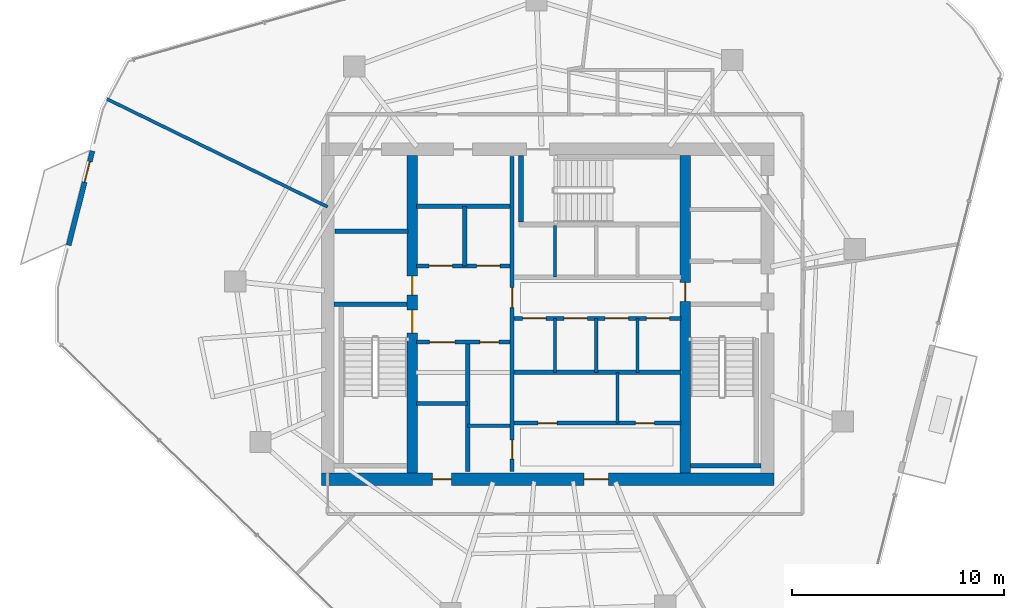
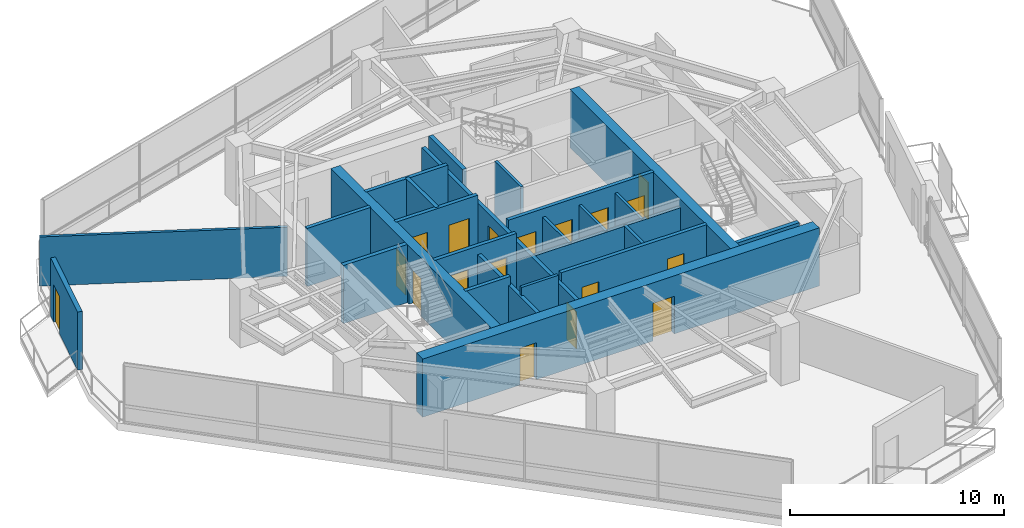
# One storey, part 15 of 19: 25 walls, 18 doors, 18 openings.
"""IFC4 building model written with IfcOpenShell, lengths in metres."""

from ifc_helpers import new_model, si_unit, direction, frame, frame_2d, origin, place, context, subcontext, project, spatial, rectangle, extrude, material, layer, layer_set, type_object, element, fill, save


model = new_model("IFC4")

# Units and contexts
model_context = context("Model", 3, precision=1e-05, world=origin(), true_north=direction((0.0, 1.0)))
body_context = subcontext(model_context, "Body", "Model", "MODEL_VIEW")
ifc_project = project(units=[si_unit("LENGTHUNIT", "METRE"), si_unit("AREAUNIT", "SQUARE_METRE"), si_unit("VOLUMEUNIT", "CUBIC_METRE"), si_unit("PLANEANGLEUNIT", "RADIAN"), si_unit("MASSUNIT", "GRAM", prefix="KILO")], contexts=[model_context])

# Site, building, storey
site_placement = place(None, origin())
site = spatial("IfcSite", under=ifc_project, at=site_placement, CompositionType="ELEMENT")
building_placement = place(site_placement, origin())
building = spatial("IfcBuilding", under=site, at=building_placement, Name="Qarnah Convention Tower", CompositionType="ELEMENT")
storey_placement = place(building_placement, frame((0.0, 0.0, 125.699951171875)))
storey = spatial("IfcBuildingStorey", under=building, at=storey_placement, Name="L33", CompositionType="ELEMENT", Elevation=125.699951171875)

# Wall, openings, doors
ifc_material_1 = material(Name="Concrete C60/75", Category="concrete")
ifc_layer_1 = layer(ifc_material_1, 0.60009765625)
ifc_layer_set_1 = layer_set([ifc_layer_1], Name="Concrete C60/75")
wall_type_1 = type_object("IfcWallType", Name="WL-CORE-600", PredefinedType="SHEAR", material=ifc_layer_set_1)
wall_1_placement = place(storey_placement, frame((26.5, 18.60009765625, 0.0), z_axis=(0.0, 0.0, 1.0), x_axis=(1.0, 0.0, 0.0)))
wall_1 = element("IfcWall", 1, at=wall_1_placement, inside=storey, type_object=wall_type_1, Name="L33 core south shear wall", PredefinedType="SHEAR", context=body_context, shape_type="SweptSolid", body=[
    extrude(rectangle(XDim=21.39990234375, YDim=0.60009765625, at=frame_2d((10.699951171875, 0.0))), origin(), (0.0, 0.0, 1.0), 3.320068359375),
])
opening_1_placement = place(wall_1_placement, frame((12.425048828125, 0.0, 0.0)))
opening_1 = element("IfcOpeningElement", 2, at=opening_1_placement, cuts=wall_1, Name="Opening D-3307", PredefinedType="OPENING", context=body_context, shape_type="SweptSolid", body=[
    extrude(rectangle(XDim=1.14990234375, YDim=2.14990234375, at=frame_2d((0.574951171875, 1.074951171875))), frame((0.0, 0.31005859375, 0.0), z_axis=(0.0, -1.0, 0.0), x_axis=(1.0, 0.0, 0.0)), (0.0, 0.0, 1.0), 0.6201171875),
])
opening_2_placement = place(wall_1_placement, frame((5.25, 0.0, 0.0)))
opening_2 = element("IfcOpeningElement", 3, at=opening_2_placement, cuts=wall_1, Name="Opening D-3313", PredefinedType="OPENING", context=body_context, shape_type="SweptSolid", body=[
    extrude(rectangle(XDim=0.89990234375, YDim=2.10009765625, at=frame_2d((0.449951171875, 1.050048828125))), frame((0.0, 0.31005859375, 0.0), z_axis=(0.0, -1.0, 0.0), x_axis=(1.0, 0.0, 0.0)), (0.0, 0.0, 1.0), 0.6201171875),
])
ifc_material_2 = material(Name="Structural steel S355JR", Category="steel")
door_type_1 = type_object("IfcDoorType", Name="DT-LOBBY-1150", OperationType="NOTDEFINED", PredefinedType="DOOR", material=ifc_material_2)
door_1_placement = place(opening_1_placement, origin())
door_1 = element("IfcDoor", 4, at=door_1_placement, inside=storey, type_object=door_type_1, Name="Door D-3307", OperationType="SINGLE_SWING_LEFT", OverallHeight=2.14990234375, OverallWidth=1.14990234375, PredefinedType="DOOR", context=body_context, shape_type="SweptSolid", body=[
    extrude(rectangle(XDim=1.14990234375, YDim=2.14990234375, at=frame_2d((0.574951171875, 1.074951171875))), frame((0.0, 0.02490234375, 0.0), z_axis=(0.0, -1.0, 0.0), x_axis=(1.0, 0.0, 0.0)), (0.0, 0.0, 1.0), 0.050048828125),
])
fill(opening_1, door_1)
door_type_2 = type_object("IfcDoorType", Name="DT-RISER-900", OperationType="NOTDEFINED", PredefinedType="DOOR", material=ifc_material_2)
door_2_placement = place(opening_2_placement, origin())
door_2 = element("IfcDoor", 5, at=door_2_placement, inside=storey, type_object=door_type_2, Name="Door D-3313", OperationType="SINGLE_SWING_LEFT", OverallHeight=2.10009765625, OverallWidth=0.89990234375, PredefinedType="DOOR", context=body_context, shape_type="SweptSolid", body=[
    extrude(rectangle(XDim=0.89990234375, YDim=2.10009765625, at=frame_2d((0.449951171875, 1.050048828125))), frame((0.0, 0.02490234375, 0.0), z_axis=(0.0, -1.0, 0.0), x_axis=(1.0, 0.0, 0.0)), (0.0, 0.0, 1.0), 0.050048828125),
])
fill(opening_2, door_2)

ifc_layer_2 = layer(ifc_material_1, 0.5)
ifc_layer_set_2 = layer_set([ifc_layer_2], Name="Concrete C60/75")
wall_type_2 = type_object("IfcWallType", Name="WL-CORE-INT-400", PredefinedType="SHEAR", material=ifc_layer_set_2)
wall_2_placement = place(storey_placement, frame((30.800048828125, 18.89990234375, 0.0), z_axis=(0.0, 0.0, 1.0), x_axis=(0.0, 1.0, 0.0)))
wall_2 = element("IfcWall", 6, at=wall_2_placement, inside=storey, type_object=wall_type_2, Name="L33 core west spine shear wall", PredefinedType="SHEAR", context=body_context, shape_type="SweptSolid", body=[
    extrude(rectangle(XDim=15.0, YDim=0.5, at=frame_2d((7.5, 0.0))), origin(), (0.0, 0.0, 1.0), 3.320068359375),
])
opening_3_placement = place(wall_2_placement, frame((6.60009765625, 0.0, 0.0)))
opening_3 = element("IfcOpeningElement", 7, at=opening_3_placement, cuts=wall_2, Name="Opening D-3301", PredefinedType="OPENING", context=body_context, shape_type="SweptSolid", body=[
    extrude(rectangle(XDim=1.10009765625, YDim=2.14990234375, at=frame_2d((0.550048828125, 1.074951171875))), frame((0.0, 0.260009765625, 0.0), z_axis=(0.0, -1.0, 0.0), x_axis=(1.0, 0.0, 0.0)), (0.0, 0.0, 1.0), 0.52001953125),
])
opening_4_placement = place(wall_2_placement, frame((8.39990234375, 0.0, 0.0)))
opening_4 = element("IfcOpeningElement", 8, at=opening_4_placement, cuts=wall_2, Name="Opening D-3308", PredefinedType="OPENING", context=body_context, shape_type="SweptSolid", body=[
    extrude(rectangle(XDim=0.89990234375, YDim=2.10009765625, at=frame_2d((0.449951171875, 1.050048828125))), frame((0.0, 0.260009765625, 0.0), z_axis=(0.0, -1.0, 0.0), x_axis=(1.0, 0.0, 0.0)), (0.0, 0.0, 1.0), 0.52001953125),
])
door_3_placement = place(opening_4_placement, origin())
door_3 = element("IfcDoor", 9, at=door_3_placement, inside=storey, type_object=door_type_2, Name="Door D-3308", OperationType="SINGLE_SWING_RIGHT", OverallHeight=2.10009765625, OverallWidth=0.89990234375, PredefinedType="DOOR", context=body_context, shape_type="SweptSolid", body=[
    extrude(rectangle(XDim=0.89990234375, YDim=2.10009765625, at=frame_2d((0.449951171875, 1.050048828125))), frame((0.0, 0.02490234375, 0.0), z_axis=(0.0, -1.0, 0.0), x_axis=(1.0, 0.0, 0.0)), (0.0, 0.0, 1.0), 0.050048828125),
])
fill(opening_4, door_3)
door_type_3 = type_object("IfcDoorType", Name="DT-STAIR-1100", OperationType="NOTDEFINED", PredefinedType="DOOR", material=ifc_material_2)
door_4_placement = place(opening_3_placement, origin())
door_4 = element("IfcDoor", 10, at=door_4_placement, inside=storey, type_object=door_type_3, Name="Door D-3301", OperationType="SINGLE_SWING_LEFT", OverallHeight=2.14990234375, OverallWidth=1.10009765625, PredefinedType="DOOR", context=body_context, shape_type="SweptSolid", body=[
    extrude(rectangle(XDim=1.10009765625, YDim=2.14990234375, at=frame_2d((0.550048828125, 1.074951171875))), frame((0.0, 0.02490234375, 0.0), z_axis=(0.0, -1.0, 0.0), x_axis=(1.0, 0.0, 0.0)), (0.0, 0.0, 1.0), 0.050048828125),
])
fill(opening_3, door_4)

# Wall, opening, door
wall_3_placement = place(storey_placement, frame((43.699951171875, 18.89990234375, 0.0), z_axis=(0.0, 0.0, 1.0), x_axis=(0.0, 1.0, 0.0)))
wall_3 = element("IfcWall", 11, at=wall_3_placement, inside=storey, type_object=wall_type_2, Name="L33 core east spine shear wall", PredefinedType="SHEAR", context=body_context, shape_type="SweptSolid", body=[
    extrude(rectangle(XDim=15.0, YDim=0.5, at=frame_2d((7.5, 0.0))), origin(), (0.0, 0.0, 1.0), 3.320068359375),
])
opening_5_placement = place(wall_3_placement, frame((8.10009765625, 0.0, 0.0)))
opening_5 = element("IfcOpeningElement", 12, at=opening_5_placement, cuts=wall_3, Name="Opening D-3305", PredefinedType="OPENING", context=body_context, shape_type="SweptSolid", body=[
    extrude(rectangle(XDim=0.89990234375, YDim=2.10009765625, at=frame_2d((0.449951171875, 1.050048828125))), frame((0.0, 0.260009765625, 0.0), z_axis=(0.0, -1.0, 0.0), x_axis=(1.0, 0.0, 0.0)), (0.0, 0.0, 1.0), 0.52001953125),
])
door_5_placement = place(opening_5_placement, origin())
door_5 = element("IfcDoor", 13, at=door_5_placement, inside=storey, type_object=door_type_2, Name="Door D-3305", OperationType="SINGLE_SWING_LEFT", OverallHeight=2.10009765625, OverallWidth=0.89990234375, PredefinedType="DOOR", context=body_context, shape_type="SweptSolid", body=[
    extrude(rectangle(XDim=0.89990234375, YDim=2.10009765625, at=frame_2d((0.449951171875, 1.050048828125))), frame((0.0, 0.02490234375, 0.0), z_axis=(0.0, -1.0, 0.0), x_axis=(1.0, 0.0, 0.0)), (0.0, 0.0, 1.0), 0.050048828125),
])
fill(opening_5, door_5)

# Wall
ifc_material_3 = material(Name="Concrete C45/55", Category="concrete")
ifc_layer_3 = layer(ifc_material_3, 0.199951171875)
ifc_layer_set_3 = layer_set([ifc_layer_3], Name="Concrete C45/55")
wall_type_3 = type_object("IfcWallType", Name="WL-CORE-PART-200", PredefinedType="SOLIDWALL", material=ifc_layer_set_3)
wall_4_placement = place(storey_placement, frame((27.14990234375, 30.320068359375, 0.0), z_axis=(0.0, 0.0, 1.0), x_axis=(1.0, 0.0, 0.0)))
element("IfcWall", 14, at=wall_4_placement, inside=storey, type_object=wall_type_3, Name="L33 interior wall IW-L33-ELRN", PredefinedType="SOLIDWALL", context=body_context, shape_type="SweptSolid", body=[
    extrude(rectangle(XDim=3.4501953125, YDim=0.199951171875, at=frame_2d((1.72509765625, 0.0))), origin(), (0.0, 0.0, 1.0), 3.320068359375),
])

# Wall, openings, doors
wall_5_placement = place(storey_placement, frame((35.52001953125, 18.949951171875, 0.0), z_axis=(0.0, 0.0, 1.0), x_axis=(0.0, 1.0, 0.0)))
wall_5 = element("IfcWall", 15, at=wall_5_placement, inside=storey, type_object=wall_type_3, Name="L33 interior wall IW-L33-CSP", PredefinedType="SOLIDWALL", context=body_context, shape_type="SweptSolid", body=[
    extrude(rectangle(XDim=14.900146484375, YDim=0.199951171875, at=frame_2d((7.4501953125, 0.0))), origin(), (0.0, 0.0, 1.0), 2.841064453125),
])
opening_6_placement = place(wall_5_placement, frame((7.7548828125, 0.0, 0.0)))
opening_6 = element("IfcOpeningElement", 16, at=opening_6_placement, cuts=wall_5, Name="Opening D-3304", PredefinedType="OPENING", context=body_context, shape_type="SweptSolid", body=[
    extrude(rectangle(XDim=0.949951171875, YDim=2.14990234375, at=frame_2d((0.47509765625, 1.074951171875))), frame((0.0, 0.10986328125, 0.0), z_axis=(0.0, -1.0, 0.0), x_axis=(1.0, 0.0, 0.0)), (0.0, 0.0, 1.0), 0.219970703125),
])
opening_7_placement = place(wall_5_placement, frame((0.60009765625, 0.0, 0.0)))
opening_7 = element("IfcOpeningElement", 17, at=opening_7_placement, cuts=wall_5, Name="Opening D-3314", PredefinedType="OPENING", context=body_context, shape_type="SweptSolid", body=[
    extrude(rectangle(XDim=0.89990234375, YDim=2.10009765625, at=frame_2d((0.449951171875, 1.050048828125))), frame((0.0, 0.10986328125, 0.0), z_axis=(0.0, -1.0, 0.0), x_axis=(1.0, 0.0, 0.0)), (0.0, 0.0, 1.0), 0.219970703125),
])
ifc_material_4 = material(Name="Oak timber veneer", Category="wood")
door_type_4 = type_object("IfcDoorType", Name="DT-HOTEL-950", OperationType="NOTDEFINED", PredefinedType="DOOR", material=ifc_material_4)
door_6_placement = place(opening_6_placement, origin())
door_6 = element("IfcDoor", 18, at=door_6_placement, inside=storey, type_object=door_type_4, Name="Door D-3304", OperationType="SINGLE_SWING_RIGHT", OverallHeight=2.14990234375, OverallWidth=0.949951171875, PredefinedType="DOOR", context=body_context, shape_type="SweptSolid", body=[
    extrude(rectangle(XDim=0.949951171875, YDim=2.14990234375, at=frame_2d((0.47509765625, 1.074951171875))), frame((0.0, 0.02490234375, 0.0), z_axis=(0.0, -1.0, 0.0), x_axis=(1.0, 0.0, 0.0)), (0.0, 0.0, 1.0), 0.050048828125),
])
fill(opening_6, door_6)
door_7_placement = place(opening_7_placement, origin())
door_7 = element("IfcDoor", 19, at=door_7_placement, inside=storey, type_object=door_type_2, Name="Door D-3314", OperationType="SINGLE_SWING_RIGHT", OverallHeight=2.10009765625, OverallWidth=0.89990234375, PredefinedType="DOOR", context=body_context, shape_type="SweptSolid", body=[
    extrude(rectangle(XDim=0.89990234375, YDim=2.10009765625, at=frame_2d((0.449951171875, 1.050048828125))), frame((0.0, 0.02490234375, 0.0), z_axis=(0.0, -1.0, 0.0), x_axis=(1.0, 0.0, 0.0)), (0.0, 0.0, 1.0), 0.050048828125),
])
fill(opening_7, door_7)

wall_6_placement = place(storey_placement, frame((31.0, 28.679931640625, 0.0), z_axis=(0.0, 0.0, 1.0), x_axis=(1.0, 0.0, 0.0)))
wall_6 = element("IfcWall", 20, at=wall_6_placement, inside=storey, type_object=wall_type_3, Name="L33 interior wall IW-L33-FFLS", PredefinedType="SOLIDWALL", context=body_context, shape_type="SweptSolid", body=[
    extrude(rectangle(XDim=4.419921875, YDim=0.199951171875, at=frame_2d((2.2099609375, 0.0))), origin(), (0.0, 0.0, 1.0), 3.320068359375),
])
opening_8_placement = place(wall_6_placement, frame((0.60009765625, 0.0, 0.0)))
opening_8 = element("IfcOpeningElement", 21, at=opening_8_placement, cuts=wall_6, Name="Opening LD-3301", PredefinedType="OPENING", context=body_context, shape_type="SweptSolid", body=[
    extrude(rectangle(XDim=1.10009765625, YDim=2.14990234375, at=frame_2d((0.550048828125, 1.074951171875))), frame((0.0, 0.10986328125, 0.0), z_axis=(0.0, -1.0, 0.0), x_axis=(1.0, 0.0, 0.0)), (0.0, 0.0, 1.0), 0.219970703125),
])
opening_9_placement = place(wall_6_placement, frame((2.85009765625, 0.0, 0.0)))
opening_9 = element("IfcOpeningElement", 22, at=opening_9_placement, cuts=wall_6, Name="Opening LD-3302", PredefinedType="OPENING", context=body_context, shape_type="SweptSolid", body=[
    extrude(rectangle(XDim=1.10009765625, YDim=2.14990234375, at=frame_2d((0.550048828125, 1.074951171875))), frame((0.0, 0.10986328125, 0.0), z_axis=(0.0, -1.0, 0.0), x_axis=(1.0, 0.0, 0.0)), (0.0, 0.0, 1.0), 0.219970703125),
])
door_type_5 = type_object("IfcDoorType", Name="DT-LIFT-1100", OperationType="SLIDING_TO_LEFT", PredefinedType="DOOR", material=ifc_material_2)
door_8_placement = place(opening_8_placement, origin())
door_8 = element("IfcDoor", 23, at=door_8_placement, inside=storey, type_object=door_type_5, Name="Door LD-3301", OperationType="SLIDING_TO_LEFT", OverallHeight=2.14990234375, OverallWidth=1.10009765625, PredefinedType="DOOR", context=body_context, shape_type="SweptSolid", body=[
    extrude(rectangle(XDim=1.10009765625, YDim=2.14990234375, at=frame_2d((0.550048828125, 1.074951171875))), frame((0.0, 0.02490234375, 0.0), z_axis=(0.0, -1.0, 0.0), x_axis=(1.0, 0.0, 0.0)), (0.0, 0.0, 1.0), 0.050048828125),
])
fill(opening_8, door_8)
door_9_placement = place(opening_9_placement, origin())
door_9 = element("IfcDoor", 24, at=door_9_placement, inside=storey, type_object=door_type_5, Name="Door LD-3302", OperationType="SLIDING_TO_LEFT", OverallHeight=2.14990234375, OverallWidth=1.10009765625, PredefinedType="DOOR", context=body_context, shape_type="SweptSolid", body=[
    extrude(rectangle(XDim=1.10009765625, YDim=2.14990234375, at=frame_2d((0.550048828125, 1.074951171875))), frame((0.0, 0.02490234375, 0.0), z_axis=(0.0, -1.0, 0.0), x_axis=(1.0, 0.0, 0.0)), (0.0, 0.0, 1.0), 0.050048828125),
])
fill(opening_9, door_9)

# Walls
wall_7_placement = place(storey_placement, frame((31.0, 31.5, 0.0), z_axis=(0.0, 0.0, 1.0), x_axis=(1.0, 0.0, 0.0)))
element("IfcWall", 25, at=wall_7_placement, inside=storey, type_object=wall_type_3, Name="L33 interior wall IW-L33-FFLN", PredefinedType="SOLIDWALL", context=body_context, shape_type="SweptSolid", body=[
    extrude(rectangle(XDim=4.419921875, YDim=0.199951171875, at=frame_2d((2.2099609375, 0.0))), origin(), (0.0, 0.0, 1.0), 3.320068359375),
])
wall_8_placement = place(storey_placement, frame((33.280029296875, 28.679931640625, 0.0), z_axis=(0.0, 0.0, 1.0), x_axis=(0.0, 1.0, 0.0)))
element("IfcWall", 26, at=wall_8_placement, inside=storey, type_object=wall_type_3, Name="L33 interior wall IW-L33-FFLM", PredefinedType="SOLIDWALL", context=body_context, shape_type="SweptSolid", body=[
    extrude(rectangle(XDim=2.820068359375, YDim=0.199951171875, at=frame_2d((1.41015625, 0.0))), origin(), (0.0, 0.0, 1.0), 3.320068359375),
])

# Wall, openings, doors
wall_9_placement = place(storey_placement, frame((31.0, 25.080078125, 0.0), z_axis=(0.0, 0.0, 1.0), x_axis=(1.0, 0.0, 0.0)))
wall_9 = element("IfcWall", 27, at=wall_9_placement, inside=storey, type_object=wall_type_3, Name="L33 interior wall IW-L33-FFLBS", PredefinedType="SOLIDWALL", context=body_context, shape_type="SweptSolid", body=[
    extrude(rectangle(XDim=4.419921875, YDim=0.199951171875, at=frame_2d((2.2099609375, 0.0))), origin(), (0.0, 0.0, 1.0), 3.320068359375),
])
opening_10_placement = place(wall_9_placement, frame((3.0, 0.0, 0.0)))
opening_10 = element("IfcOpeningElement", 28, at=opening_10_placement, cuts=wall_9, Name="Opening D-3315", PredefinedType="OPENING", context=body_context, shape_type="SweptSolid", body=[
    extrude(rectangle(XDim=0.89990234375, YDim=2.10009765625, at=frame_2d((0.449951171875, 1.050048828125))), frame((0.0, 0.10986328125, 0.0), z_axis=(0.0, -1.0, 0.0), x_axis=(1.0, 0.0, 0.0)), (0.0, 0.0, 1.0), 0.219970703125),
])
opening_11_placement = place(wall_9_placement, frame((0.6201171875, 0.0, 0.0)))
opening_11 = element("IfcOpeningElement", 29, at=opening_11_placement, cuts=wall_9, Name="Opening LD-3303", PredefinedType="OPENING", context=body_context, shape_type="SweptSolid", body=[
    extrude(rectangle(XDim=1.199951171875, YDim=2.14990234375, at=frame_2d((0.60009765625, 1.074951171875))), frame((0.0, 0.10986328125, 0.0), z_axis=(0.0, -1.0, 0.0), x_axis=(1.0, 0.0, 0.0)), (0.0, 0.0, 1.0), 0.219970703125),
])
door_type_6 = type_object("IfcDoorType", Name="DT-LIFT-1200", OperationType="SLIDING_TO_LEFT", PredefinedType="DOOR", material=ifc_material_2)
door_10_placement = place(opening_11_placement, origin())
door_10 = element("IfcDoor", 30, at=door_10_placement, inside=storey, type_object=door_type_6, Name="Door LD-3303", OperationType="SLIDING_TO_LEFT", OverallHeight=2.14990234375, OverallWidth=1.199951171875, PredefinedType="DOOR", context=body_context, shape_type="SweptSolid", body=[
    extrude(rectangle(XDim=1.199951171875, YDim=2.14990234375, at=frame_2d((0.60009765625, 1.074951171875))), frame((0.0, 0.02490234375, 0.0), z_axis=(0.0, -1.0, 0.0), x_axis=(1.0, 0.0, 0.0)), (0.0, 0.0, 1.0), 0.050048828125),
])
fill(opening_11, door_10)
door_11_placement = place(opening_10_placement, origin())
door_11 = element("IfcDoor", 31, at=door_11_placement, inside=storey, type_object=door_type_2, Name="Door D-3315", OperationType="SINGLE_SWING_LEFT", OverallHeight=2.10009765625, OverallWidth=0.89990234375, PredefinedType="DOOR", context=body_context, shape_type="SweptSolid", body=[
    extrude(rectangle(XDim=0.89990234375, YDim=2.10009765625, at=frame_2d((0.449951171875, 1.050048828125))), frame((0.0, 0.02490234375, 0.0), z_axis=(0.0, -1.0, 0.0), x_axis=(1.0, 0.0, 0.0)), (0.0, 0.0, 1.0), 0.050048828125),
])
fill(opening_10, door_11)

# Walls
wall_10_placement = place(storey_placement, frame((33.419921875, 18.949951171875, 0.0), z_axis=(0.0, 0.0, 1.0), x_axis=(0.0, 1.0, 0.0)))
element("IfcWall", 32, at=wall_10_placement, inside=storey, type_object=wall_type_3, Name="L33 interior wall IW-L33-SVLE", PredefinedType="SOLIDWALL", context=body_context, shape_type="SweptSolid", body=[
    extrude(rectangle(XDim=6.130126953125, YDim=0.199951171875, at=frame_2d((3.06494140625, 0.0))), origin(), (0.0, 0.0, 1.0), 2.841064453125),
])
wall_11_placement = place(storey_placement, frame((31.0, 22.179931640625, 0.0), z_axis=(0.0, 0.0, 1.0), x_axis=(1.0, 0.0, 0.0)))
element("IfcWall", 33, at=wall_11_placement, inside=storey, type_object=wall_type_3, Name="L33 interior wall IW-L33-SVLS", PredefinedType="SOLIDWALL", context=body_context, shape_type="SweptSolid", body=[
    extrude(rectangle(XDim=2.419921875, YDim=0.199951171875, at=frame_2d((1.2099609375, 0.0))), origin(), (0.0, 0.0, 1.0), 3.320068359375),
])

# Wall, openings, doors
wall_12_placement = place(storey_placement, frame((35.6201171875, 26.199951171875, 0.0), z_axis=(0.0, 0.0, 1.0), x_axis=(1.0, 0.0, 0.0)))
wall_12 = element("IfcWall", 34, at=wall_12_placement, inside=storey, type_object=wall_type_3, Name="L33 interior wall IW-L33-PMN", PredefinedType="SOLIDWALL", context=body_context, shape_type="SweptSolid", body=[
    extrude(rectangle(XDim=7.8798828125, YDim=0.199951171875, at=frame_2d((3.93994140625, 0.0))), origin(), (0.0, 0.0, 1.0), 3.320068359375),
])
opening_12_placement = place(wall_12_placement, frame((0.405029296875, 0.0, 0.0)))
opening_12 = element("IfcOpeningElement", 35, at=opening_12_placement, cuts=wall_12, Name="Opening LD-3304", PredefinedType="OPENING", context=body_context, shape_type="SweptSolid", body=[
    extrude(rectangle(XDim=1.10009765625, YDim=2.14990234375, at=frame_2d((0.550048828125, 1.074951171875))), frame((0.0, 0.10986328125, 0.0), z_axis=(0.0, -1.0, 0.0), x_axis=(1.0, 0.0, 0.0)), (0.0, 0.0, 1.0), 0.219970703125),
])
opening_13_placement = place(wall_12_placement, frame((2.35498046875, 0.0, 0.0)))
opening_13 = element("IfcOpeningElement", 36, at=opening_13_placement, cuts=wall_12, Name="Opening LD-3305", PredefinedType="OPENING", context=body_context, shape_type="SweptSolid", body=[
    extrude(rectangle(XDim=1.10009765625, YDim=2.14990234375, at=frame_2d((0.550048828125, 1.074951171875))), frame((0.0, 0.10986328125, 0.0), z_axis=(0.0, -1.0, 0.0), x_axis=(1.0, 0.0, 0.0)), (0.0, 0.0, 1.0), 0.219970703125),
])
opening_14_placement = place(wall_12_placement, frame((4.304931640625, 0.0, 0.0)))
opening_14 = element("IfcOpeningElement", 37, at=opening_14_placement, cuts=wall_12, Name="Opening LD-3306", PredefinedType="OPENING", context=body_context, shape_type="SweptSolid", body=[
    extrude(rectangle(XDim=1.10009765625, YDim=2.14990234375, at=frame_2d((0.550048828125, 1.074951171875))), frame((0.0, 0.10986328125, 0.0), z_axis=(0.0, -1.0, 0.0), x_axis=(1.0, 0.0, 0.0)), (0.0, 0.0, 1.0), 0.219970703125),
])
opening_15_placement = place(wall_12_placement, frame((6.2548828125, 0.0, 0.0)))
opening_15 = element("IfcOpeningElement", 38, at=opening_15_placement, cuts=wall_12, Name="Opening LD-3307", PredefinedType="OPENING", context=body_context, shape_type="SweptSolid", body=[
    extrude(rectangle(XDim=1.10009765625, YDim=2.14990234375, at=frame_2d((0.550048828125, 1.074951171875))), frame((0.0, 0.10986328125, 0.0), z_axis=(0.0, -1.0, 0.0), x_axis=(1.0, 0.0, 0.0)), (0.0, 0.0, 1.0), 0.219970703125),
])
door_12_placement = place(opening_12_placement, origin())
door_12 = element("IfcDoor", 39, at=door_12_placement, inside=storey, type_object=door_type_5, Name="Door LD-3304", OperationType="SLIDING_TO_LEFT", OverallHeight=2.14990234375, OverallWidth=1.10009765625, PredefinedType="DOOR", context=body_context, shape_type="SweptSolid", body=[
    extrude(rectangle(XDim=1.10009765625, YDim=2.14990234375, at=frame_2d((0.550048828125, 1.074951171875))), frame((0.0, 0.02490234375, 0.0), z_axis=(0.0, -1.0, 0.0), x_axis=(1.0, 0.0, 0.0)), (0.0, 0.0, 1.0), 0.050048828125),
])
fill(opening_12, door_12)
door_13_placement = place(opening_13_placement, origin())
door_13 = element("IfcDoor", 40, at=door_13_placement, inside=storey, type_object=door_type_5, Name="Door LD-3305", OperationType="SLIDING_TO_LEFT", OverallHeight=2.14990234375, OverallWidth=1.10009765625, PredefinedType="DOOR", context=body_context, shape_type="SweptSolid", body=[
    extrude(rectangle(XDim=1.10009765625, YDim=2.14990234375, at=frame_2d((0.550048828125, 1.074951171875))), frame((0.0, 0.02490234375, 0.0), z_axis=(0.0, -1.0, 0.0), x_axis=(1.0, 0.0, 0.0)), (0.0, 0.0, 1.0), 0.050048828125),
])
fill(opening_13, door_13)
door_14_placement = place(opening_14_placement, origin())
door_14 = element("IfcDoor", 41, at=door_14_placement, inside=storey, type_object=door_type_5, Name="Door LD-3306", OperationType="SLIDING_TO_LEFT", OverallHeight=2.14990234375, OverallWidth=1.10009765625, PredefinedType="DOOR", context=body_context, shape_type="SweptSolid", body=[
    extrude(rectangle(XDim=1.10009765625, YDim=2.14990234375, at=frame_2d((0.550048828125, 1.074951171875))), frame((0.0, 0.02490234375, 0.0), z_axis=(0.0, -1.0, 0.0), x_axis=(1.0, 0.0, 0.0)), (0.0, 0.0, 1.0), 0.050048828125),
])
fill(opening_14, door_14)
door_15_placement = place(opening_15_placement, origin())
door_15 = element("IfcDoor", 42, at=door_15_placement, inside=storey, type_object=door_type_5, Name="Door LD-3307", OperationType="SLIDING_TO_LEFT", OverallHeight=2.14990234375, OverallWidth=1.10009765625, PredefinedType="DOOR", context=body_context, shape_type="SweptSolid", body=[
    extrude(rectangle(XDim=1.10009765625, YDim=2.14990234375, at=frame_2d((0.550048828125, 1.074951171875))), frame((0.0, 0.02490234375, 0.0), z_axis=(0.0, -1.0, 0.0), x_axis=(1.0, 0.0, 0.0)), (0.0, 0.0, 1.0), 0.050048828125),
])
fill(opening_15, door_15)

# Wall
wall_13_placement = place(storey_placement, frame((35.6201171875, 23.64990234375, 0.0), z_axis=(0.0, 0.0, 1.0), x_axis=(1.0, 0.0, 0.0)))
element("IfcWall", 43, at=wall_13_placement, inside=storey, type_object=wall_type_3, Name="L33 interior wall IW-L33-PMPL", PredefinedType="SOLIDWALL", context=body_context, shape_type="SweptSolid", body=[
    extrude(rectangle(XDim=7.8798828125, YDim=0.199951171875, at=frame_2d((3.93994140625, 0.0))), origin(), (0.0, 0.0, 1.0), 2.841064453125),
])

# Wall, openings, doors
wall_14_placement = place(storey_placement, frame((35.6201171875, 21.25, 0.0), z_axis=(0.0, 0.0, 1.0), x_axis=(1.0, 0.0, 0.0)))
wall_14 = element("IfcWall", 44, at=wall_14_placement, inside=storey, type_object=wall_type_3, Name="L33 interior wall IW-L33-PLS", PredefinedType="SOLIDWALL", context=body_context, shape_type="SweptSolid", body=[
    extrude(rectangle(XDim=7.8798828125, YDim=0.199951171875, at=frame_2d((3.93994140625, 0.0))), origin(), (0.0, 0.0, 1.0), 3.320068359375),
])
opening_16_placement = place(wall_14_placement, frame((1.1298828125, 0.0, 0.0)))
opening_16 = element("IfcOpeningElement", 45, at=opening_16_placement, cuts=wall_14, Name="Opening D-3316", PredefinedType="OPENING", context=body_context, shape_type="SweptSolid", body=[
    extrude(rectangle(XDim=0.89990234375, YDim=2.10009765625, at=frame_2d((0.449951171875, 1.050048828125))), frame((0.0, 0.10986328125, 0.0), z_axis=(0.0, -1.0, 0.0), x_axis=(1.0, 0.0, 0.0)), (0.0, 0.0, 1.0), 0.219970703125),
])
opening_17_placement = place(wall_14_placement, frame((5.72998046875, 0.0, 0.0)))
opening_17 = element("IfcOpeningElement", 46, at=opening_17_placement, cuts=wall_14, Name="Opening D-3317", PredefinedType="OPENING", context=body_context, shape_type="SweptSolid", body=[
    extrude(rectangle(XDim=0.89990234375, YDim=2.10009765625, at=frame_2d((0.449951171875, 1.050048828125))), frame((0.0, 0.10986328125, 0.0), z_axis=(0.0, -1.0, 0.0), x_axis=(1.0, 0.0, 0.0)), (0.0, 0.0, 1.0), 0.219970703125),
])
door_16_placement = place(opening_16_placement, origin())
door_16 = element("IfcDoor", 47, at=door_16_placement, inside=storey, type_object=door_type_2, Name="Door D-3316", OperationType="SINGLE_SWING_RIGHT", OverallHeight=2.10009765625, OverallWidth=0.89990234375, PredefinedType="DOOR", context=body_context, shape_type="SweptSolid", body=[
    extrude(rectangle(XDim=0.89990234375, YDim=2.10009765625, at=frame_2d((0.449951171875, 1.050048828125))), frame((0.0, 0.02490234375, 0.0), z_axis=(0.0, -1.0, 0.0), x_axis=(1.0, 0.0, 0.0)), (0.0, 0.0, 1.0), 0.050048828125),
])
fill(opening_16, door_16)
door_17_placement = place(opening_17_placement, origin())
door_17 = element("IfcDoor", 48, at=door_17_placement, inside=storey, type_object=door_type_2, Name="Door D-3317", OperationType="SINGLE_SWING_LEFT", OverallHeight=2.10009765625, OverallWidth=0.89990234375, PredefinedType="DOOR", context=body_context, shape_type="SweptSolid", body=[
    extrude(rectangle(XDim=0.89990234375, YDim=2.10009765625, at=frame_2d((0.449951171875, 1.050048828125))), frame((0.0, 0.02490234375, 0.0), z_axis=(0.0, -1.0, 0.0), x_axis=(1.0, 0.0, 0.0)), (0.0, 0.0, 1.0), 0.050048828125),
])
fill(opening_17, door_17)

# Walls
ifc_layer_4 = layer(ifc_material_1, 0.219970703125)
ifc_layer_set_4 = layer_set([ifc_layer_4], Name="Concrete C60/75")
wall_type_4 = type_object("IfcWallType", Name="WL-CORE-STAIR-220", PredefinedType="SHEAR", material=ifc_layer_set_4)
wall_15_placement = place(storey_placement, frame((27.10009765625, 26.860107421875, 0.0), z_axis=(0.0, 0.0, 1.0), x_axis=(1.0, 0.0, 0.0)))
element("IfcWall", 49, at=wall_15_placement, inside=storey, type_object=wall_type_4, Name="L33 stair shaft shear wall SW-L33-ST1N", PredefinedType="SHEAR", context=body_context, shape_type="SweptSolid", body=[
    extrude(rectangle(XDim=3.449951171875, YDim=0.219970703125, at=frame_2d((1.72509765625, 0.0))), origin(), (0.0, 0.0, 1.0), 3.320068359375),
])
wall_16_placement = place(storey_placement, frame((43.949951171875, 19.239990234375, 0.0), z_axis=(0.0, 0.0, 1.0), x_axis=(1.0, 0.0, 0.0)))
element("IfcWall", 50, at=wall_16_placement, inside=storey, type_object=wall_type_4, Name="L33 stair shaft shear wall SW-L33-ST2S", PredefinedType="SHEAR", context=body_context, shape_type="SweptSolid", body=[
    extrude(rectangle(XDim=3.35009765625, YDim=0.219970703125, at=frame_2d((1.675048828125, 0.0))), origin(), (0.0, 0.0, 1.0), 3.320068359375),
])
wall_17_placement = place(storey_placement, frame((35.93994140625, 30.75, 0.0), z_axis=(0.0, 0.0, 1.0), x_axis=(0.0, 1.0, 0.0)))
element("IfcWall", 51, at=wall_17_placement, inside=storey, type_object=wall_type_4, Name="L33 stair shaft shear wall SW-L33-ST3W", PredefinedType="SHEAR", context=body_context, shape_type="SweptSolid", body=[
    extrude(rectangle(XDim=3.14990234375, YDim=0.219970703125, at=frame_2d((1.574951171875, 0.0))), origin(), (0.0, 0.0, 1.0), 3.320068359375),
])

# Wall, opening, door
ifc_material_5 = material(Name="Precast concrete C45/55", Category="concrete")
ifc_layer_5 = layer(ifc_material_5, 0.239990234375)
ifc_layer_set_5 = layer_set([ifc_layer_5], Name="Precast concrete C45/55")
wall_type_5 = type_object("IfcWallType", Name="WL-EXT-BAL-240", PredefinedType="SOLIDWALL", material=ifc_layer_set_5)
wall_18_placement = place(storey_placement, frame((14.556884765625, 29.656982421875, 0.0), z_axis=(0.0, 0.0, 1.0), x_axis=(0.244583269574, 0.969628291792, 0.0)))
wall_18 = element("IfcWall", 52, at=wall_18_placement, inside=storey, type_object=wall_type_5, Name="L33 loggia threshold wall BAL-L33-C2", PredefinedType="SOLIDWALL", context=body_context, shape_type="SweptSolid", body=[
    extrude(rectangle(XDim=4.599609375, YDim=0.239990234375, at=frame_2d((2.2998046875, 0.0))), origin(), (0.0, 0.0, 1.0), 3.320068359375),
])
opening_18_placement = place(wall_18_placement, frame((3.080078125, 0.0, 0.0)))
opening_18 = element("IfcOpeningElement", 53, at=opening_18_placement, cuts=wall_18, Name="Opening BD-3302", PredefinedType="OPENING", context=body_context, shape_type="SweptSolid", body=[
    extrude(rectangle(XDim=1.0, YDim=2.14990234375, at=frame_2d((0.5, 1.074951171875))), frame((0.0, 0.1298828125, 0.0), z_axis=(0.0, -1.0, 0.0), x_axis=(1.0, 0.0, 0.0)), (0.0, 0.0, 1.0), 0.260009765625),
])
ifc_material_6 = material(Name="Black anodised aluminium", Category="aluminium")
door_type_7 = type_object("IfcDoorType", Name="DT-BAL-1000", OperationType="NOTDEFINED", PredefinedType="DOOR", material=ifc_material_6)
door_18_placement = place(opening_18_placement, origin())
door_18 = element("IfcDoor", 54, at=door_18_placement, inside=storey, type_object=door_type_7, Name="L33 balcony terrace door BAL-L33-C2", OperationType="SINGLE_SWING_RIGHT", OverallHeight=2.14990234375, OverallWidth=1.0, PredefinedType="DOOR", context=body_context, shape_type="SweptSolid", body=[
    extrude(rectangle(XDim=1.0, YDim=2.14990234375, at=frame_2d((0.5, 1.074951171875))), frame((0.0, 0.02490234375, 0.0), z_axis=(0.0, -1.0, 0.0), x_axis=(1.0, 0.0, 0.0)), (0.0, 0.0, 1.0), 0.050048828125),
])
fill(opening_18, door_18)

# Walls
ifc_material_7 = material(Name="Gypsum partition board")
ifc_layer_6 = layer(ifc_material_7, 0.14990234375)
ifc_layer_set_6 = layer_set([ifc_layer_6], Name="Gypsum partition board")
wall_type_6 = type_object("IfcWallType", Name="WL-SUITE-150", PredefinedType="PARTITIONING", material=ifc_layer_set_6)
wall_19_placement = place(storey_placement, frame((33.419921875, 21.1201171875, 0.0), z_axis=(0.0, 0.0, 1.0), x_axis=(1.0, 0.0, 0.0)))
element("IfcWall", 55, at=wall_19_placement, inside=storey, type_object=wall_type_6, Name="L33 interior wall IW-L33-CSV1", PredefinedType="PARTITIONING", context=body_context, shape_type="SweptSolid", body=[
    extrude(rectangle(XDim=2.0, YDim=0.14990234375, at=frame_2d((1.0, 0.0))), origin(), (0.0, 0.0, 1.0), 3.320068359375),
])
wall_20_placement = place(storey_placement, frame((37.550048828125, 28.14990234375, 0.0), z_axis=(0.0, 0.0, 1.0), x_axis=(0.0, 1.0, 0.0)))
element("IfcWall", 56, at=wall_20_placement, inside=storey, type_object=wall_type_6, Name="L33 interior wall IW-L33-PHD1", PredefinedType="PARTITIONING", context=body_context, shape_type="SweptSolid", body=[
    extrude(rectangle(XDim=2.43017578125, YDim=0.14990234375, at=frame_2d((1.215087890625, 0.0))), origin(), (0.0, 0.0, 1.0), 3.320068359375),
])
for number, where, z_axis, x_axis, name in (
    (57, (37.550048828125, 23.64990234375, 0.0), (0.0, 0.0, 1.0), (0.0, 1.0, 0.0), "L33 interior wall IW-L33-PMD1"),
    (58, (39.5, 23.64990234375, 0.0), (0.0, 0.0, 1.0), (0.0, 1.0, 0.0), "L33 interior wall IW-L33-PMD2"),
    (59, (41.449951171875, 23.64990234375, 0.0), (0.0, 0.0, 1.0), (0.0, 1.0, 0.0), "L33 interior wall IW-L33-PMD3"),
):
    element("IfcWall", number, at=place(storey_placement, frame(where, z_axis=z_axis, x_axis=x_axis)), inside=storey, type_object=wall_type_6, Name=name, PredefinedType="PARTITIONING", context=body_context, shape_type="SweptSolid", body=[
        extrude(rectangle(XDim=2.550048828125, YDim=0.14990234375, at=frame_2d((1.27490234375, 0.0))), origin(), (0.0, 0.0, 1.0), 2.841064453125),
    ])
wall_21_placement = place(storey_placement, frame((40.5, 21.25, 0.0), z_axis=(0.0, 0.0, 1.0), x_axis=(0.0, 1.0, 0.0)))
element("IfcWall", 60, at=wall_21_placement, inside=storey, type_object=wall_type_6, Name="L33 interior wall IW-L33-PLFD", PredefinedType="PARTITIONING", context=body_context, shape_type="SweptSolid", body=[
    extrude(rectangle(XDim=2.39990234375, YDim=0.14990234375, at=frame_2d((1.199951171875, 0.0))), origin(), (0.0, 0.0, 1.0), 2.841064453125),
])
wall_22_placement = place(storey_placement, frame((16.368896484375, 36.572021484375, 0.0), z_axis=(0.0, 0.0, 1.0), x_axis=(0.898369979751, -0.43923954681, 0.0)))
element("IfcWall", 61, at=wall_22_placement, inside=storey, type_object=wall_type_6, Name="L33 interior wall IW-L33-R-17", PredefinedType="PARTITIONING", context=body_context, shape_type="SweptSolid", body=[
    extrude(rectangle(XDim=11.611083984375, YDim=0.14990234375, at=frame_2d((5.8056640625, 0.0))), origin(), (0.0, 0.0, 1.0), 2.804931640625),
])

save(model, "model.ifc")
